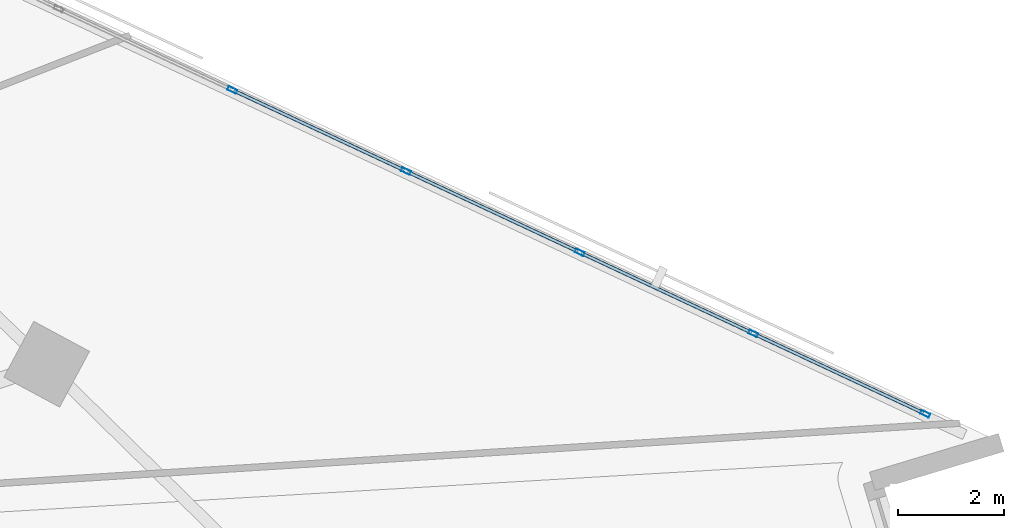
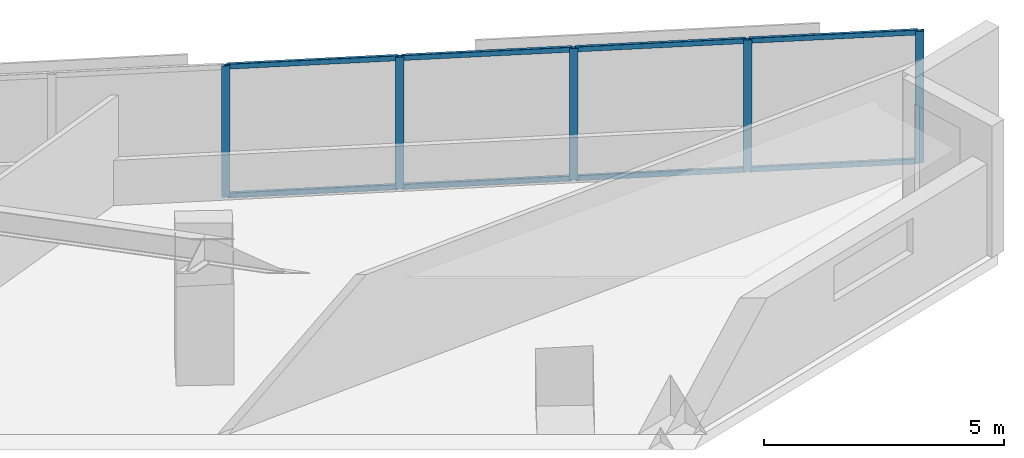
# One storey, part 5 of 17: 13 members, 1 element without a shape of its own.
"""IFC4 building model written with IfcOpenShell, lengths in metres."""

from ifc_helpers import new_model, si_unit, direction, frame, origin, origin_2d, place, context, subcontext, project, spatial, hollow_rectangle, extrude, material, material_profile, profile_set, type_object, element, aggregate, save


model = new_model("IFC4")

# Units and contexts
model_context = context("Model", 3, precision=1e-05, world=origin(), true_north=direction((0.0, 1.0)))
body_context = subcontext(model_context, "Body", "Model", "MODEL_VIEW")
ifc_project = project(units=[si_unit("LENGTHUNIT", "METRE"), si_unit("AREAUNIT", "SQUARE_METRE"), si_unit("VOLUMEUNIT", "CUBIC_METRE"), si_unit("PLANEANGLEUNIT", "RADIAN"), si_unit("MASSUNIT", "GRAM", prefix="KILO")], contexts=[model_context])

# Site, building, storey
site_placement = place(None, origin())
site = spatial("IfcSite", under=ifc_project, at=site_placement, CompositionType="ELEMENT")
building_placement = place(site_placement, origin())
building = spatial("IfcBuilding", under=site, at=building_placement, Name="Narakoshi Arena Tower", CompositionType="ELEMENT")
storey_placement = place(building_placement, frame((0.0, 0.0, 139.5)))
storey = spatial("IfcBuildingStorey", under=building, at=storey_placement, Name="L37", CompositionType="ELEMENT", Elevation=139.5)

# Curtain wall, members
ifc_material = material(Name="Anodised bronze aluminium 6063-T6", Category="aluminium")
curtain_wall_type = type_object("IfcCurtainWallType", Name="CW-HYP-MID", PredefinedType="NOTDEFINED", material=ifc_material)
curtain_wall_placement = place(storey_placement, origin())
curtain_wall = element("IfcCurtainWall", 1, at=curtain_wall_placement, inside=storey, type_object=curtain_wall_type, Name="L37 Folded Hypotenuse Curtain Wall 1-1", PredefinedType="NOTDEFINED")
ifc_material_profile_1 = material_profile(ifc_material, hollow_rectangle(XDim=0.074951171875, YDim=0.179931640625, WallThickness=0.00390625, OuterFilletRadius=0.0048828125, at=origin_2d()), Name="MUL180x75x4")
ifc_profile_set_1 = profile_set([ifc_material_profile_1], Name="Anodised bronze aluminium 6063-T6")
member_type_1 = type_object("IfcMemberType", Name="MEM-MUL-180", PredefinedType="MULLION", material=ifc_profile_set_1)
member_1_placement = place(storey_placement, frame((119.174072265625, 48.238525390625, 0.0), z_axis=(0.0, 0.0, 1.0), x_axis=(-0.423531721612, -0.905881273009, 0.0)))
member_1 = element("IfcMember", 2, at=member_1_placement, type_object=member_type_1, Name="CW-02 mullion 1", PredefinedType="MULLION", context=body_context, shape_type="SweptSolid", body=[
    extrude(hollow_rectangle(XDim=0.074951171875, YDim=0.179931640625, WallThickness=0.00390625, OuterFilletRadius=0.0048828125, at=origin_2d()), origin(), (0.0, 0.0, 1.0), 3.340087890625),
])
member_2_placement = place(storey_placement, frame((115.91650390625, 49.761474609375, 0.0), z_axis=(0.0, 0.0, 1.0), x_axis=(-0.423531721612, -0.905881273009, 0.0)))
member_2 = element("IfcMember", 3, at=member_2_placement, type_object=member_type_1, Name="CW-02 mullion 2", PredefinedType="MULLION", context=body_context, shape_type="SweptSolid", body=[
    extrude(hollow_rectangle(XDim=0.074951171875, YDim=0.179931640625, WallThickness=0.00390625, OuterFilletRadius=0.0048828125, at=origin_2d()), origin(), (0.0, 0.0, 1.0), 3.340087890625),
])
member_3_placement = place(storey_placement, frame((112.625, 51.300537109375, 0.0), z_axis=(0.0, 0.0, 1.0), x_axis=(-0.423531721612, -0.905881273009, 0.0)))
member_3 = element("IfcMember", 4, at=member_3_placement, type_object=member_type_1, Name="CW-02 mullion 3", PredefinedType="MULLION", context=body_context, shape_type="SweptSolid", body=[
    extrude(hollow_rectangle(XDim=0.074951171875, YDim=0.179931640625, WallThickness=0.00390625, OuterFilletRadius=0.0048828125, at=origin_2d()), origin(), (0.0, 0.0, 1.0), 3.340087890625),
])
member_4_placement = place(storey_placement, frame((109.33349609375, 52.83935546875, 0.0), z_axis=(0.0, 0.0, 1.0), x_axis=(-0.423531721612, -0.905881273009, 0.0)))
member_4 = element("IfcMember", 5, at=member_4_placement, type_object=member_type_1, Name="CW-02 mullion 4", PredefinedType="MULLION", context=body_context, shape_type="SweptSolid", body=[
    extrude(hollow_rectangle(XDim=0.074951171875, YDim=0.179931640625, WallThickness=0.00390625, OuterFilletRadius=0.0048828125, at=origin_2d()), origin(), (0.0, 0.0, 1.0), 3.340087890625),
])
member_5_placement = place(storey_placement, frame((106.0419921875, 54.378173828125, 0.0), z_axis=(0.0, 0.0, 1.0), x_axis=(-0.423531721612, -0.905881273009, 0.0)))
member_5 = element("IfcMember", 6, at=member_5_placement, type_object=member_type_1, Name="CW-02 mullion 5", PredefinedType="MULLION", context=body_context, shape_type="SweptSolid", body=[
    extrude(hollow_rectangle(XDim=0.074951171875, YDim=0.179931640625, WallThickness=0.00390625, OuterFilletRadius=0.0048828125, at=origin_2d()), origin(), (0.0, 0.0, 1.0), 3.340087890625),
])
ifc_material_profile_2 = material_profile(ifc_material, hollow_rectangle(XDim=0.06494140625, YDim=0.1298828125, WallThickness=0.00390625, OuterFilletRadius=0.0048828125, at=origin_2d()), Name="TRN130x65x4")
ifc_profile_set_2 = profile_set([ifc_material_profile_2], Name="Anodised bronze aluminium 6063-T6")
member_type_2 = type_object("IfcMemberType", Name="MEM-TRN-130", PredefinedType="USERDEFINED", material=ifc_profile_set_2)
member_6_placement = place(storey_placement, frame((119.14013671875, 48.25439453125, 0.032470703125), z_axis=(-0.905890644442, 0.423511676713, 0.0), x_axis=(-0.423511676713, -0.905890644442, 0.0)))
member_6 = element("IfcMember", 7, at=member_6_placement, type_object=member_type_2, Name="CW-02 transom 1.1", ObjectType="TRANSOM", PredefinedType="USERDEFINED", context=body_context, shape_type="SweptSolid", body=[
    extrude(hollow_rectangle(XDim=0.06494140625, YDim=0.1298828125, WallThickness=0.00390625, OuterFilletRadius=0.0048828125, at=origin_2d()), origin(), (0.0, 0.0, 1.0), 3.52099609375),
])
member_7_placement = place(storey_placement, frame((119.14013671875, 48.25439453125, 3.3076171875), z_axis=(-0.905890644442, 0.423511676713, 0.0), x_axis=(-0.423511676713, -0.905890644442, 0.0)))
member_7 = element("IfcMember", 8, at=member_7_placement, type_object=member_type_2, Name="CW-02 transom 1.2", ObjectType="TRANSOM", PredefinedType="USERDEFINED", context=body_context, shape_type="SweptSolid", body=[
    extrude(hollow_rectangle(XDim=0.06494140625, YDim=0.1298828125, WallThickness=0.00390625, OuterFilletRadius=0.0048828125, at=origin_2d()), origin(), (0.0, 0.0, 1.0), 3.52099609375),
])
member_8_placement = place(storey_placement, frame((115.882568359375, 49.777587890625, 0.032470703125), z_axis=(-0.905890215319, 0.423512594605, 0.0), x_axis=(-0.423512594605, -0.905890215319, 0.0)))
member_8 = element("IfcMember", 9, at=member_8_placement, type_object=member_type_2, Name="CW-02 transom 2.1", ObjectType="TRANSOM", PredefinedType="USERDEFINED", context=body_context, shape_type="SweptSolid", body=[
    extrude(hollow_rectangle(XDim=0.06494140625, YDim=0.1298828125, WallThickness=0.00390625, OuterFilletRadius=0.0048828125, at=origin_2d()), origin(), (0.0, 0.0, 1.0), 3.55859375),
])
member_9_placement = place(storey_placement, frame((115.882568359375, 49.777587890625, 3.3076171875), z_axis=(-0.905890215319, 0.423512594605, 0.0), x_axis=(-0.423512594605, -0.905890215319, 0.0)))
member_9 = element("IfcMember", 10, at=member_9_placement, type_object=member_type_2, Name="CW-02 transom 2.2", ObjectType="TRANSOM", PredefinedType="USERDEFINED", context=body_context, shape_type="SweptSolid", body=[
    extrude(hollow_rectangle(XDim=0.06494140625, YDim=0.1298828125, WallThickness=0.00390625, OuterFilletRadius=0.0048828125, at=origin_2d()), origin(), (0.0, 0.0, 1.0), 3.55859375),
])
member_10_placement = place(storey_placement, frame((112.591064453125, 51.31640625, 0.032470703125), z_axis=(-0.905890215319, 0.423512594605, 0.0), x_axis=(-0.423512594605, -0.905890215319, 0.0)))
member_10 = element("IfcMember", 11, at=member_10_placement, type_object=member_type_2, Name="CW-02 transom 3.1", ObjectType="TRANSOM", PredefinedType="USERDEFINED", context=body_context, shape_type="SweptSolid", body=[
    extrude(hollow_rectangle(XDim=0.06494140625, YDim=0.1298828125, WallThickness=0.00390625, OuterFilletRadius=0.0048828125, at=origin_2d()), origin(), (0.0, 0.0, 1.0), 3.55859375),
])
member_11_placement = place(storey_placement, frame((112.591064453125, 51.31640625, 3.3076171875), z_axis=(-0.905890215319, 0.423512594605, 0.0), x_axis=(-0.423512594605, -0.905890215319, 0.0)))
member_11 = element("IfcMember", 12, at=member_11_placement, type_object=member_type_2, Name="CW-02 transom 3.2", ObjectType="TRANSOM", PredefinedType="USERDEFINED", context=body_context, shape_type="SweptSolid", body=[
    extrude(hollow_rectangle(XDim=0.06494140625, YDim=0.1298828125, WallThickness=0.00390625, OuterFilletRadius=0.0048828125, at=origin_2d()), origin(), (0.0, 0.0, 1.0), 3.55859375),
])
member_12_placement = place(storey_placement, frame((109.299560546875, 52.855224609375, 0.032470703125), z_axis=(-0.905890215319, 0.423512594605, 0.0), x_axis=(-0.423512594605, -0.905890215319, 0.0)))
member_12 = element("IfcMember", 13, at=member_12_placement, type_object=member_type_2, Name="CW-02 transom 4.1", ObjectType="TRANSOM", PredefinedType="USERDEFINED", context=body_context, shape_type="SweptSolid", body=[
    extrude(hollow_rectangle(XDim=0.06494140625, YDim=0.1298828125, WallThickness=0.00390625, OuterFilletRadius=0.0048828125, at=origin_2d()), origin(), (0.0, 0.0, 1.0), 3.55859375),
])
member_13_placement = place(storey_placement, frame((109.299560546875, 52.855224609375, 3.3076171875), z_axis=(-0.905890215319, 0.423512594605, 0.0), x_axis=(-0.423512594605, -0.905890215319, 0.0)))
member_13 = element("IfcMember", 14, at=member_13_placement, type_object=member_type_2, Name="CW-02 transom 4.2", ObjectType="TRANSOM", PredefinedType="USERDEFINED", context=body_context, shape_type="SweptSolid", body=[
    extrude(hollow_rectangle(XDim=0.06494140625, YDim=0.1298828125, WallThickness=0.00390625, OuterFilletRadius=0.0048828125, at=origin_2d()), origin(), (0.0, 0.0, 1.0), 3.55859375),
])
aggregate(curtain_wall, [member_1, member_2, member_3, member_4, member_5, member_6, member_7, member_8, member_9, member_10, member_11, member_12, member_13])

save(model, "model.ifc")
